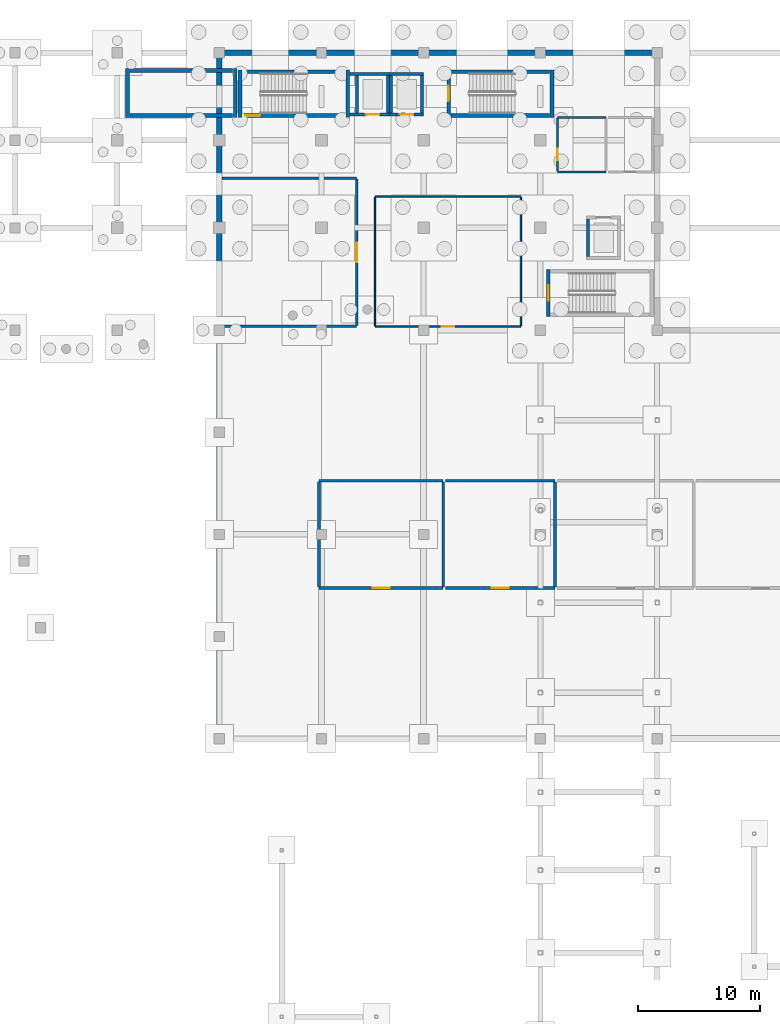
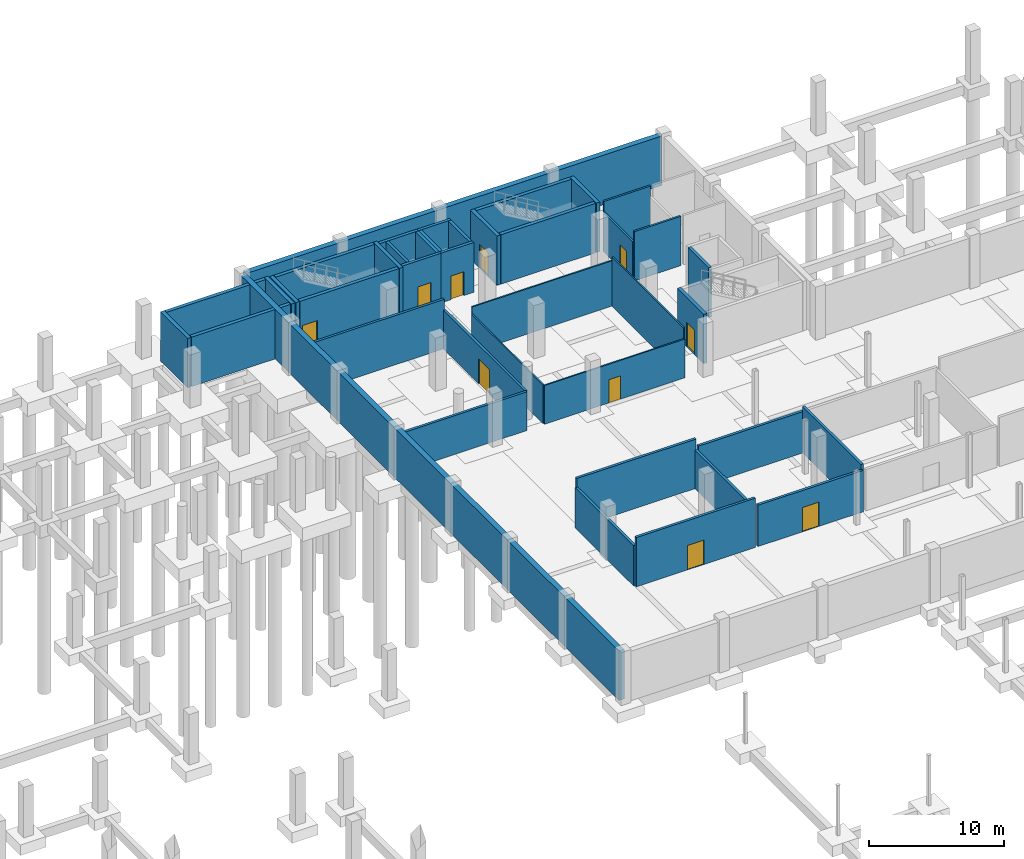
# One storey, part 36 of 44: 41 walls, 10 doors, 10 openings.
"""IFC4 building model written with IfcOpenShell, lengths in metres."""

from ifc_helpers import new_model, si_unit, direction, frame, frame_2d, origin, place, context, subcontext, project, spatial, rectangle, extrude, material, layer, layer_set, type_object, element, fill, save


model = new_model("IFC4")

# Units and contexts
model_context = context("Model", 3, precision=1e-05, world=origin(), true_north=direction((0.0, 1.0)))
body_context = subcontext(model_context, "Body", "Model", "MODEL_VIEW")
ifc_project = project(units=[si_unit("LENGTHUNIT", "METRE"), si_unit("AREAUNIT", "SQUARE_METRE"), si_unit("VOLUMEUNIT", "CUBIC_METRE"), si_unit("PLANEANGLEUNIT", "RADIAN"), si_unit("MASSUNIT", "GRAM", prefix="KILO")], contexts=[model_context])

# Site, building, storey
site_placement = place(None, origin())
site = spatial("IfcSite", under=ifc_project, at=site_placement, CompositionType="ELEMENT")
building_placement = place(site_placement, origin())
building = spatial("IfcBuilding", under=site, at=building_placement, Name="Kisaragi Civic Commons", CompositionType="ELEMENT")
storey_placement = place(building_placement, frame((0.0, 0.0, -4.800048828125)))
storey = spatial("IfcBuildingStorey", under=building, at=storey_placement, Name="B1", CompositionType="ELEMENT", Elevation=-4.800048828125)

# Wall
ifc_material_1 = material(Name="Fire-rated double gypsum board on steel studs with mineral wool", Category="steel")
ifc_layer_1 = layer(ifc_material_1, 0.218017578125, Name="Fire-rated double gypsum board on steel studs with mineral wool", Category="steel")
ifc_layer_set_1 = layer_set([ifc_layer_1], Name="Fire-rated double gypsum board on steel studs with mineral wool")
wall_type_1 = type_object("IfcWallType", Name="FW-03", PredefinedType="STANDARD", material=ifc_layer_set_1)
wall_1_placement = place(storey_placement, frame((115.60009765625, 83.52490234375, 0.0), z_axis=(0.0, 0.0, 1.0), x_axis=(0.0, -1.0, 0.0)))
element("IfcWall", 1, at=wall_1_placement, inside=storey, type_object=wall_type_1, Name="B1 B1-07 partition FW-03 15", PredefinedType="STANDARD", context=body_context, shape_type="SweptSolid", body=[
    extrude(rectangle(XDim=8.64990234375, YDim=0.218017578125, at=frame_2d((4.324951171875, 0.0))), origin(), (0.0, 0.0, 1.0), 3.5),
])

# Wall, opening, door
wall_2_placement = place(storey_placement, frame((115.594970703125, 74.800048828125, 0.0), z_axis=(0.0, 0.0, 1.0), x_axis=(-1.0, 0.0, 0.0)))
wall_2 = element("IfcWall", 2, at=wall_2_placement, inside=storey, type_object=wall_type_1, Name="B1 B1-07 partition FW-03 16", PredefinedType="STANDARD", context=body_context, shape_type="SweptSolid", body=[
    extrude(rectangle(XDim=10.18994140625, YDim=0.218017578125, at=frame_2d((5.094970703125, 0.0))), origin(), (0.0, 0.0, 1.0), 4.449951171875),
])
opening_1_placement = place(wall_2_placement, frame((4.39501953125, 0.0, 0.0)))
opening_1 = element("IfcOpeningElement", 3, at=opening_1_placement, cuts=wall_2, Name="Opening FD-02", PredefinedType="OPENING", context=body_context, shape_type="SweptSolid", body=[
    extrude(rectangle(XDim=1.39990234375, YDim=2.199951171875, at=frame_2d((0.699951171875, 1.10009765625))), frame((0.0, 0.118896484375, 0.0), z_axis=(0.0, -1.0, 0.0), x_axis=(1.0, 0.0, 0.0)), (0.0, 0.0, 1.0), 0.238037109375),
])
ifc_material_2 = material(Name="Insulated fire-rated pressed steel door assembly", Category="steel")
door_type_1 = type_object("IfcDoorType", Name="FD-02", OperationType="NOTDEFINED", PredefinedType="DOOR", material=ifc_material_2)
door_1_placement = place(opening_1_placement, origin())
door_1 = element("IfcDoor", 4, at=door_1_placement, inside=storey, type_object=door_type_1, Name="Electrical Substation Room door FD-02", OperationType="DOUBLE_DOOR_SINGLE_SWING", OverallHeight=2.199951171875, OverallWidth=1.39990234375, PredefinedType="DOOR", context=body_context, shape_type="SweptSolid", body=[
    extrude(rectangle(XDim=1.39990234375, YDim=2.199951171875, at=frame_2d((0.699951171875, 1.10009765625))), frame((0.0, 0.02490234375, 0.0), z_axis=(0.0, -1.0, 0.0), x_axis=(1.0, 0.0, 0.0)), (0.0, 0.0, 1.0), 0.050048828125),
])
fill(opening_1, door_1)

# Walls
wall_3_placement = place(storey_placement, frame((105.39990234375, 74.875, 0.0), z_axis=(0.0, 0.0, 1.0), x_axis=(0.0, 1.0, 0.0)))
element("IfcWall", 5, at=wall_3_placement, inside=storey, type_object=wall_type_1, Name="B1 B1-07 partition FW-03 17", PredefinedType="STANDARD", context=body_context, shape_type="SweptSolid", body=[
    extrude(rectangle(XDim=8.64990234375, YDim=0.218017578125, at=frame_2d((4.324951171875, 0.0))), origin(), (0.0, 0.0, 1.0), 3.650146484375),
])
wall_4_placement = place(storey_placement, frame((105.405029296875, 83.60009765625, 0.0), z_axis=(0.0, 0.0, 1.0), x_axis=(1.0, 0.0, 0.0)))
element("IfcWall", 6, at=wall_4_placement, inside=storey, type_object=wall_type_1, Name="B1 B1-07 partition FW-03 18", PredefinedType="STANDARD", context=body_context, shape_type="SweptSolid", body=[
    extrude(rectangle(XDim=10.18994140625, YDim=0.218017578125, at=frame_2d((5.094970703125, 0.0))), origin(), (0.0, 0.0, 1.0), 4.449951171875),
])
wall_5_placement = place(storey_placement, frame((124.800048828125, 83.52490234375, 0.0), z_axis=(0.0, 0.0, 1.0), x_axis=(0.0, -1.0, 0.0)))
element("IfcWall", 7, at=wall_5_placement, inside=storey, type_object=wall_type_1, Name="B1 B1-08 partition FW-03 19", PredefinedType="STANDARD", context=body_context, shape_type="SweptSolid", body=[
    extrude(rectangle(XDim=8.64990234375, YDim=0.218017578125, at=frame_2d((4.324951171875, 0.0))), origin(), (0.0, 0.0, 1.0), 4.18505859375),
])

# Wall, opening, door
wall_6_placement = place(storey_placement, frame((124.794921875, 74.800048828125, 0.0), z_axis=(0.0, 0.0, 1.0), x_axis=(-1.0, 0.0, 0.0)))
wall_6 = element("IfcWall", 8, at=wall_6_placement, inside=storey, type_object=wall_type_1, Name="B1 B1-08 partition FW-03 20", PredefinedType="STANDARD", context=body_context, shape_type="SweptSolid", body=[
    extrude(rectangle(XDim=8.989990234375, YDim=0.218017578125, at=frame_2d((4.4951171875, 0.0))), origin(), (0.0, 0.0, 1.0), 3.735107421875),
])
opening_2_placement = place(wall_6_placement, frame((3.794921875, 0.0, 0.0)))
opening_2 = element("IfcOpeningElement", 9, at=opening_2_placement, cuts=wall_6, Name="Opening FD-02", PredefinedType="OPENING", context=body_context, shape_type="SweptSolid", body=[
    extrude(rectangle(XDim=1.39990234375, YDim=2.199951171875, at=frame_2d((0.699951171875, 1.10009765625))), frame((0.0, 0.118896484375, 0.0), z_axis=(0.0, -1.0, 0.0), x_axis=(1.0, 0.0, 0.0)), (0.0, 0.0, 1.0), 0.238037109375),
])
door_2_placement = place(opening_2_placement, origin())
door_2 = element("IfcDoor", 10, at=door_2_placement, inside=storey, type_object=door_type_1, Name="Emergency Generator Room door FD-02", OperationType="DOUBLE_DOOR_SINGLE_SWING", OverallHeight=2.199951171875, OverallWidth=1.39990234375, PredefinedType="DOOR", context=body_context, shape_type="SweptSolid", body=[
    extrude(rectangle(XDim=1.39990234375, YDim=2.199951171875, at=frame_2d((0.699951171875, 1.10009765625))), frame((0.0, 0.02490234375, 0.0), z_axis=(0.0, -1.0, 0.0), x_axis=(1.0, 0.0, 0.0)), (0.0, 0.0, 1.0), 0.050048828125),
])
fill(opening_2, door_2)

# Walls
wall_7_placement = place(storey_placement, frame((115.804931640625, 83.60009765625, 0.0), z_axis=(0.0, 0.0, 1.0), x_axis=(1.0, 0.0, 0.0)))
element("IfcWall", 11, at=wall_7_placement, inside=storey, type_object=wall_type_1, Name="B1 B1-08 partition FW-03 21", PredefinedType="STANDARD", context=body_context, shape_type="SweptSolid", body=[
    extrude(rectangle(XDim=8.989990234375, YDim=0.218017578125, at=frame_2d((4.4951171875, 0.0))), origin(), (0.0, 0.0, 1.0), 3.735107421875),
])
ifc_material_3 = material(Name="Cementitious tile-backer board on galvanized steel studs", Category="steel")
ifc_layer_2 = layer(ifc_material_3, 0.16796875, Name="Cementitious tile-backer board on galvanized steel studs", Category="steel")
ifc_layer_set_2 = layer_set([ifc_layer_2], Name="Cementitious tile-backer board on galvanized steel studs")
wall_type_2 = type_object("IfcWallType", Name="IW-03", PredefinedType="STANDARD", material=ifc_layer_set_2)
wall_8_placement = place(storey_placement, frame((128.9951171875, 109.0, 0.0), z_axis=(0.0, 0.0, 1.0), x_axis=(-1.0, 0.0, 0.0)))
element("IfcWall", 12, at=wall_8_placement, inside=storey, type_object=wall_type_2, Name="B1 B1-05 partition IW-03 9", PredefinedType="STANDARD", context=body_context, shape_type="SweptSolid", body=[
    extrude(rectangle(XDim=3.990234375, YDim=0.16796875, at=frame_2d((1.9951171875, 0.0))), origin(), (0.0, 0.0, 1.0), 4.449951171875),
])

# Wall, opening, door
wall_9_placement = place(storey_placement, frame((125.0, 109.074951171875, 0.0), z_axis=(0.0, 0.0, 1.0), x_axis=(0.0, 1.0, 0.0)))
wall_9 = element("IfcWall", 13, at=wall_9_placement, inside=storey, type_object=wall_type_2, Name="B1 B1-05 partition IW-03 10", PredefinedType="STANDARD", context=body_context, shape_type="SweptSolid", body=[
    extrude(rectangle(XDim=4.35009765625, YDim=0.16796875, at=frame_2d((2.175048828125, 0.0))), origin(), (0.0, 0.0, 1.0), 3.5),
])
opening_3_placement = place(wall_9_placement, frame((0.884033203125, 0.0, 0.0)))
opening_3 = element("IfcOpeningElement", 14, at=opening_3_placement, cuts=wall_9, Name="Opening ID-01", PredefinedType="OPENING", context=body_context, shape_type="SweptSolid", body=[
    extrude(rectangle(XDim=0.949951171875, YDim=2.10009765625, at=frame_2d((0.47509765625, 1.050048828125))), frame((0.0, 0.093994140625, 0.0), z_axis=(0.0, -1.0, 0.0), x_axis=(1.0, 0.0, 0.0)), (0.0, 0.0, 1.0), 0.18798828125),
])
ifc_material_4 = material(Name="Solid-core Japanese ash acoustic flush timber leaf in steel frame", Category="steel")
door_type_2 = type_object("IfcDoorType", Name="ID-01", OperationType="NOTDEFINED", PredefinedType="DOOR", material=ifc_material_4)
door_3_placement = place(opening_3_placement, origin())
door_3 = element("IfcDoor", 15, at=door_3_placement, inside=storey, type_object=door_type_2, Name="B1 Accessible WC door ID-01", OperationType="SINGLE_SWING_RIGHT", OverallHeight=2.10009765625, OverallWidth=0.949951171875, PredefinedType="DOOR", context=body_context, shape_type="SweptSolid", body=[
    extrude(rectangle(XDim=0.949951171875, YDim=2.10009765625, at=frame_2d((0.47509765625, 1.050048828125))), frame((0.0, 0.02490234375, 0.0), z_axis=(0.0, -1.0, 0.0), x_axis=(1.0, 0.0, 0.0)), (0.0, 0.0, 1.0), 0.050048828125),
])
fill(opening_3, door_3)

# Walls
wall_10_placement = place(storey_placement, frame((125.0048828125, 113.5, 0.0), z_axis=(0.0, 0.0, 1.0), x_axis=(1.0, 0.0, 0.0)))
element("IfcWall", 16, at=wall_10_placement, inside=storey, type_object=wall_type_2, Name="B1 B1-05 partition IW-03 11", PredefinedType="STANDARD", context=body_context, shape_type="SweptSolid", body=[
    extrude(rectangle(XDim=3.990234375, YDim=0.16796875, at=frame_2d((1.9951171875, 0.0))), origin(), (0.0, 0.0, 1.0), 4.449951171875),
])
ifc_material_5 = material(Name="Acoustic gypsum board on light-gauge steel studs", Category="steel")
ifc_layer_3 = layer(ifc_material_5, 0.1201171875, Name="Acoustic gypsum board on light-gauge steel studs", Category="steel")
ifc_layer_set_3 = layer_set([ifc_layer_3], Name="Acoustic gypsum board on light-gauge steel studs")
wall_type_3 = type_object("IfcWallType", Name="IW-04", PredefinedType="STANDARD", material=ifc_layer_set_3)
wall_11_placement = place(storey_placement, frame((122.0, 106.925048828125, 0.0), z_axis=(0.0, 0.0, 1.0), x_axis=(0.0, -1.0, 0.0)))
element("IfcWall", 17, at=wall_11_placement, inside=storey, type_object=wall_type_3, Name="B1 B1-04 partition IW-04 4", PredefinedType="STANDARD", context=body_context, shape_type="SweptSolid", body=[
    extrude(rectangle(XDim=10.550048828125, YDim=0.1201171875, at=frame_2d((5.27490234375, 0.0))), origin(), (0.0, 0.0, 1.0), 4.449951171875),
])

# Wall, opening, door
wall_12_placement = place(storey_placement, frame((121.9951171875, 96.300048828125, 0.0), z_axis=(0.0, 0.0, 1.0), x_axis=(-1.0, 0.0, 0.0)))
wall_12 = element("IfcWall", 18, at=wall_12_placement, inside=storey, type_object=wall_type_3, Name="B1 B1-04 partition IW-04 5", PredefinedType="STANDARD", context=body_context, shape_type="SweptSolid", body=[
    extrude(rectangle(XDim=11.990234375, YDim=0.1201171875, at=frame_2d((5.9951171875, 0.0))), origin(), (0.0, 0.0, 1.0), 3.5),
])
opening_4_placement = place(wall_12_placement, frame((5.4951171875, 0.0, 0.0)))
opening_4 = element("IfcOpeningElement", 19, at=opening_4_placement, cuts=wall_12, Name="Opening ID-09", PredefinedType="OPENING", context=body_context, shape_type="SweptSolid", body=[
    extrude(rectangle(XDim=1.0, YDim=2.10009765625, at=frame_2d((0.5, 1.050048828125))), frame((0.0, 0.070068359375, 0.0), z_axis=(0.0, -1.0, 0.0), x_axis=(1.0, 0.0, 0.0)), (0.0, 0.0, 1.0), 0.14013671875),
])
door_type_3 = type_object("IfcDoorType", Name="ID-09", OperationType="NOTDEFINED", PredefinedType="DOOR", material=ifc_material_4)
door_4_placement = place(opening_4_placement, origin())
door_4 = element("IfcDoor", 20, at=door_4_placement, inside=storey, type_object=door_type_3, Name="General Civic Storage Room door ID-09", OperationType="SINGLE_SWING_LEFT", OverallHeight=2.10009765625, OverallWidth=1.0, PredefinedType="DOOR", context=body_context, shape_type="SweptSolid", body=[
    extrude(rectangle(XDim=1.0, YDim=2.10009765625, at=frame_2d((0.5, 1.050048828125))), frame((0.0, 0.02490234375, 0.0), z_axis=(0.0, -1.0, 0.0), x_axis=(1.0, 0.0, 0.0)), (0.0, 0.0, 1.0), 0.050048828125),
])
fill(opening_4, door_4)

# Walls
wall_13_placement = place(storey_placement, frame((110.0, 96.375, 0.0), z_axis=(0.0, 0.0, 1.0), x_axis=(0.0, 1.0, 0.0)))
element("IfcWall", 21, at=wall_13_placement, inside=storey, type_object=wall_type_3, Name="B1 B1-04 partition IW-04 6", PredefinedType="STANDARD", context=body_context, shape_type="SweptSolid", body=[
    extrude(rectangle(XDim=10.550048828125, YDim=0.1201171875, at=frame_2d((5.27490234375, 0.0))), origin(), (0.0, 0.0, 1.0), 3.5),
])
wall_14_placement = place(storey_placement, frame((110.0048828125, 107.0, 0.0), z_axis=(0.0, 0.0, 1.0), x_axis=(1.0, 0.0, 0.0)))
element("IfcWall", 22, at=wall_14_placement, inside=storey, type_object=wall_type_3, Name="B1 B1-04 partition IW-04 7", PredefinedType="STANDARD", context=body_context, shape_type="SweptSolid", body=[
    extrude(rectangle(XDim=11.990234375, YDim=0.1201171875, at=frame_2d((5.9951171875, 0.0))), origin(), (0.0, 0.0, 1.0), 4.10009765625),
])
ifc_material_6 = material(Name="Slatted Mikawa hinoki acoustic timber partition", Category="wood")
ifc_layer_4 = layer(ifc_material_6, 0.2080078125, Name="Slatted Mikawa hinoki acoustic timber partition", Category="wood")
ifc_layer_set_4 = layer_set([ifc_layer_4], Name="Slatted Mikawa hinoki acoustic timber partition")
wall_type_4 = type_object("IfcWallType", Name="IW-05", PredefinedType="STANDARD", material=ifc_layer_set_4)
wall_15_placement = place(storey_placement, frame((97.43310546875, 108.5, 0.0), z_axis=(0.0, 0.0, 1.0), x_axis=(1.0, 0.0, 0.0)))
element("IfcWall", 23, at=wall_15_placement, inside=storey, type_object=wall_type_4, Name="B1 B1-03 partition IW-05 1", PredefinedType="STANDARD", context=body_context, shape_type="SweptSolid", body=[
    extrude(rectangle(XDim=11.06201171875, YDim=0.2080078125, at=frame_2d((5.531005859375, 0.0))), origin(), (0.0, 0.0, 1.0), 4.449951171875),
])

# Wall, opening, door
wall_16_placement = place(storey_placement, frame((108.5, 108.425048828125, 0.0), z_axis=(0.0, 0.0, 1.0), x_axis=(0.0, -1.0, 0.0)))
wall_16 = element("IfcWall", 24, at=wall_16_placement, inside=storey, type_object=wall_type_4, Name="B1 B1-03 partition IW-05 2", PredefinedType="STANDARD", context=body_context, shape_type="SweptSolid", body=[
    extrude(rectangle(XDim=12.050048828125, YDim=0.2080078125, at=frame_2d((6.02490234375, 0.0))), origin(), (0.0, 0.0, 1.0), 3.5),
])
opening_5_placement = place(wall_16_placement, frame((5.22509765625, 0.0, 0.0)))
opening_5 = element("IfcOpeningElement", 25, at=opening_5_placement, cuts=wall_16, Name="Opening ID-05", PredefinedType="OPENING", context=body_context, shape_type="SweptSolid", body=[
    extrude(rectangle(XDim=1.60009765625, YDim=2.25, at=frame_2d((0.800048828125, 1.125))), frame((0.0, 0.114013671875, 0.0), z_axis=(0.0, -1.0, 0.0), x_axis=(1.0, 0.0, 0.0)), (0.0, 0.0, 1.0), 0.22802734375),
])
door_type_4 = type_object("IfcDoorType", Name="ID-05", OperationType="NOTDEFINED", PredefinedType="DOOR", material=ifc_material_4)
door_5_placement = place(opening_5_placement, origin())
door_5 = element("IfcDoor", 26, at=door_5_placement, inside=storey, type_object=door_type_4, Name="Ensemble Rehearsal Room door ID-05", OperationType="DOUBLE_DOOR_SINGLE_SWING", OverallHeight=2.25, OverallWidth=1.60009765625, PredefinedType="DOOR", context=body_context, shape_type="SweptSolid", body=[
    extrude(rectangle(XDim=1.60009765625, YDim=2.25, at=frame_2d((0.800048828125, 1.125))), frame((0.0, 0.02490234375, 0.0), z_axis=(0.0, -1.0, 0.0), x_axis=(1.0, 0.0, 0.0)), (0.0, 0.0, 1.0), 0.050048828125),
])
fill(opening_5, door_5)

# Walls
wall_17_placement = place(storey_placement, frame((108.4951171875, 96.300048828125, 0.0), z_axis=(0.0, 0.0, 1.0), x_axis=(-1.0, 0.0, 0.0)))
element("IfcWall", 27, at=wall_17_placement, inside=storey, type_object=wall_type_4, Name="B1 B1-03 partition IW-05 3", PredefinedType="STANDARD", context=body_context, shape_type="SweptSolid", body=[
    extrude(rectangle(XDim=10.990234375, YDim=0.2080078125, at=frame_2d((5.4951171875, 0.0))), origin(), (0.0, 0.0, 1.0), 3.5),
])
ifc_material_7 = material(Name="Concrete Fc30", Category="concrete")
ifc_layer_5 = layer(ifc_material_7, 0.449951171875, Name="Concrete Fc30", Category="concrete")
ifc_layer_set_5 = layer_set([ifc_layer_5], Name="Concrete Fc30")
wall_type_5 = type_object("IfcWallType", Name="RW-01", PredefinedType="USERDEFINED", material=ifc_layer_set_5)
wall_18_placement = place(storey_placement, frame((97.43994140625, 118.800048828125, 0.0), z_axis=(0.0, 0.0, 1.0), x_axis=(1.0, 0.0, 0.0)))
element("IfcWall", 28, at=wall_18_placement, inside=storey, type_object=wall_type_5, Name="B1 retaining wall RW-01 1", ObjectType="RETAININGWALL", PredefinedType="USERDEFINED", context=body_context, shape_type="SweptSolid", body=[
    extrude(rectangle(XDim=35.52001953125, YDim=0.449951171875, at=frame_2d((17.760009765625, 0.0))), origin(), (0.0, 0.0, 1.0), 4.469970703125),
])
wall_19_placement = place(storey_placement, frame((97.199951171875, 62.639892578125, 0.0), z_axis=(0.0, 0.0, 1.0), x_axis=(0.0, 1.0, 0.0)))
element("IfcWall", 29, at=wall_19_placement, inside=storey, type_object=wall_type_5, Name="B1 retaining wall RW-01 10", ObjectType="RETAININGWALL", PredefinedType="USERDEFINED", context=body_context, shape_type="SweptSolid", body=[
    extrude(rectangle(XDim=55.920166015625, YDim=0.449951171875, at=frame_2d((27.9599609375, 0.0))), origin(), (0.0, 0.0, 1.0), 4.469970703125),
])
ifc_material_8 = material(Name="Concrete Fc36", Category="concrete")
ifc_layer_6 = layer(ifc_material_8, 0.300048828125, Name="Concrete Fc36", Category="concrete")
ifc_layer_set_6 = layer_set([ifc_layer_6], Name="Concrete Fc36")
wall_type_6 = type_object("IfcWallType", Name="SW-01", PredefinedType="SHEAR", material=ifc_layer_set_6)
wall_20_placement = place(storey_placement, frame((98.89990234375, 117.39990234375, 0.0), z_axis=(0.0, 0.0, 1.0), x_axis=(0.0, -1.0, 0.0)))
element("IfcWall", 30, at=wall_20_placement, inside=storey, type_object=wall_type_6, Name="ST-L1 B1 entry RC shear wall", PredefinedType="SHEAR", context=body_context, shape_type="SweptSolid", body=[
    extrude(rectangle(XDim=3.89990234375, YDim=0.300048828125, at=frame_2d((1.949951171875, 0.0))), origin(), (0.0, 0.0, 1.0), 4.4599609375),
])

# Wall, opening, door
wall_21_placement = place(storey_placement, frame((99.10009765625, 113.64990234375, 0.0), z_axis=(0.0, 0.0, 1.0), x_axis=(1.0, 0.0, 0.0)))
wall_21 = element("IfcWall", 31, at=wall_21_placement, inside=storey, type_object=wall_type_6, Name="ST-L1 B1 right RC shear wall", PredefinedType="SHEAR", context=body_context, shape_type="SweptSolid", body=[
    extrude(rectangle(XDim=8.449951171875, YDim=0.300048828125, at=frame_2d((4.22509765625, 0.0))), origin(), (0.0, 0.0, 1.0), 4.4599609375),
])
opening_6_placement = place(wall_21_placement, frame((0.219970703125, 0.0, 0.0)))
opening_6 = element("IfcOpeningElement", 32, at=opening_6_placement, cuts=wall_21, Name="Opening SD-01", PredefinedType="OPENING", context=body_context, shape_type="SweptSolid", body=[
    extrude(rectangle(XDim=1.25, YDim=2.199951171875, at=frame_2d((0.625, 1.10009765625))), frame((0.0, 0.159912109375, 0.0), z_axis=(0.0, -1.0, 0.0), x_axis=(1.0, 0.0, 0.0)), (0.0, 0.0, 1.0), 0.320068359375),
])
door_type_5 = type_object("IfcDoorType", Name="SD-01", OperationType="NOTDEFINED", PredefinedType="DOOR", material=ifc_material_2)
door_6_placement = place(opening_6_placement, origin())
door_6 = element("IfcDoor", 33, at=door_6_placement, inside=storey, type_object=door_type_5, Name="ST-L1 B1 stair fire door 1", OperationType="SINGLE_SWING_LEFT", OverallHeight=2.199951171875, OverallWidth=1.25, PredefinedType="DOOR", context=body_context, shape_type="SweptSolid", body=[
    extrude(rectangle(XDim=1.25, YDim=2.199951171875, at=frame_2d((0.625, 1.10009765625))), frame((0.0, 0.02490234375, 0.0), z_axis=(0.0, -1.0, 0.0), x_axis=(1.0, 0.0, 0.0)), (0.0, 0.0, 1.0), 0.050048828125),
])
fill(opening_6, door_6)

# Walls
wall_22_placement = place(storey_placement, frame((107.75, 113.5, 0.0), z_axis=(0.0, 0.0, 1.0), x_axis=(0.0, 1.0, 0.0)))
element("IfcWall", 34, at=wall_22_placement, inside=storey, type_object=wall_type_6, Name="ST-L1 B1 far RC shear wall", PredefinedType="SHEAR", context=body_context, shape_type="SweptSolid", body=[
    extrude(rectangle(XDim=3.89990234375, YDim=0.300048828125, at=frame_2d((1.949951171875, 0.0))), origin(), (0.0, 0.0, 1.0), 4.4599609375),
])
wall_23_placement = place(storey_placement, frame((107.550048828125, 117.25, 0.0), z_axis=(0.0, 0.0, 1.0), x_axis=(-1.0, 0.0, 0.0)))
element("IfcWall", 35, at=wall_23_placement, inside=storey, type_object=wall_type_6, Name="ST-L1 B1 left RC shear wall", PredefinedType="SHEAR", context=body_context, shape_type="SweptSolid", body=[
    extrude(rectangle(XDim=8.449951171875, YDim=0.300048828125, at=frame_2d((4.22509765625, 0.0))), origin(), (0.0, 0.0, 1.0), 4.4599609375),
])

# Wall, opening, door
wall_24_placement = place(storey_placement, frame((116.050048828125, 117.39990234375, 0.0), z_axis=(0.0, 0.0, 1.0), x_axis=(0.0, -1.0, 0.0)))
wall_24 = element("IfcWall", 36, at=wall_24_placement, inside=storey, type_object=wall_type_6, Name="ST-L2 B1 entry RC shear wall", PredefinedType="SHEAR", context=body_context, shape_type="SweptSolid", body=[
    extrude(rectangle(XDim=3.89990234375, YDim=0.300048828125, at=frame_2d((1.949951171875, 0.0))), origin(), (0.0, 0.0, 1.0), 4.4599609375),
])
opening_7_placement = place(wall_24_placement, frame((1.324951171875, 0.0, 0.0)))
opening_7 = element("IfcOpeningElement", 37, at=opening_7_placement, cuts=wall_24, Name="Opening SD-01", PredefinedType="OPENING", context=body_context, shape_type="SweptSolid", body=[
    extrude(rectangle(XDim=1.25, YDim=2.199951171875, at=frame_2d((0.625, 1.10009765625))), frame((0.0, 0.159912109375, 0.0), z_axis=(0.0, -1.0, 0.0), x_axis=(1.0, 0.0, 0.0)), (0.0, 0.0, 1.0), 0.320068359375),
])
door_7_placement = place(opening_7_placement, origin())
door_7 = element("IfcDoor", 38, at=door_7_placement, inside=storey, type_object=door_type_5, Name="ST-L2 B1 stair fire door 7", OperationType="SINGLE_SWING_LEFT", OverallHeight=2.199951171875, OverallWidth=1.25, PredefinedType="DOOR", context=body_context, shape_type="SweptSolid", body=[
    extrude(rectangle(XDim=1.25, YDim=2.199951171875, at=frame_2d((0.625, 1.10009765625))), frame((0.0, 0.02490234375, 0.0), z_axis=(0.0, -1.0, 0.0), x_axis=(1.0, 0.0, 0.0)), (0.0, 0.0, 1.0), 0.050048828125),
])
fill(opening_7, door_7)

# Walls
wall_25_placement = place(storey_placement, frame((116.25, 113.64990234375, 0.0), z_axis=(0.0, 0.0, 1.0), x_axis=(1.0, 0.0, 0.0)))
element("IfcWall", 39, at=wall_25_placement, inside=storey, type_object=wall_type_6, Name="ST-L2 B1 right RC shear wall", PredefinedType="SHEAR", context=body_context, shape_type="SweptSolid", body=[
    extrude(rectangle(XDim=8.10009765625, YDim=0.300048828125, at=frame_2d((4.050048828125, 0.0))), origin(), (0.0, 0.0, 1.0), 4.4599609375),
])
wall_26_placement = place(storey_placement, frame((124.550048828125, 113.5, 0.0), z_axis=(0.0, 0.0, 1.0), x_axis=(0.0, 1.0, 0.0)))
element("IfcWall", 40, at=wall_26_placement, inside=storey, type_object=wall_type_6, Name="ST-L2 B1 far RC shear wall", PredefinedType="SHEAR", context=body_context, shape_type="SweptSolid", body=[
    extrude(rectangle(XDim=3.89990234375, YDim=0.300048828125, at=frame_2d((1.949951171875, 0.0))), origin(), (0.0, 0.0, 1.0), 4.4599609375),
])
wall_27_placement = place(storey_placement, frame((124.35009765625, 117.25, 0.0), z_axis=(0.0, 0.0, 1.0), x_axis=(-1.0, 0.0, 0.0)))
element("IfcWall", 41, at=wall_27_placement, inside=storey, type_object=wall_type_6, Name="ST-L2 B1 left RC shear wall", PredefinedType="SHEAR", context=body_context, shape_type="SweptSolid", body=[
    extrude(rectangle(XDim=8.10009765625, YDim=0.300048828125, at=frame_2d((4.050048828125, 0.0))), origin(), (0.0, 0.0, 1.0), 4.4599609375),
])

# Wall, opening, door
wall_28_placement = place(storey_placement, frame((124.25, 101.0, 0.0), z_axis=(0.0, 0.0, 1.0), x_axis=(0.0, -1.0, 0.0)))
wall_28 = element("IfcWall", 42, at=wall_28_placement, inside=storey, type_object=wall_type_6, Name="ST-L3 B1 entry RC shear wall", PredefinedType="SHEAR", context=body_context, shape_type="SweptSolid", body=[
    extrude(rectangle(XDim=3.89990234375, YDim=0.300048828125, at=frame_2d((1.949951171875, 0.0))), origin(), (0.0, 0.0, 1.0), 4.4599609375),
])
opening_8_placement = place(wall_28_placement, frame((1.324951171875, 0.0, 0.0)))
opening_8 = element("IfcOpeningElement", 43, at=opening_8_placement, cuts=wall_28, Name="Opening SD-01", PredefinedType="OPENING", context=body_context, shape_type="SweptSolid", body=[
    extrude(rectangle(XDim=1.25, YDim=2.199951171875, at=frame_2d((0.625, 1.10009765625))), frame((0.0, 0.159912109375, 0.0), z_axis=(0.0, -1.0, 0.0), x_axis=(1.0, 0.0, 0.0)), (0.0, 0.0, 1.0), 0.320068359375),
])
door_8_placement = place(opening_8_placement, origin())
door_8 = element("IfcDoor", 44, at=door_8_placement, inside=storey, type_object=door_type_5, Name="ST-L3 B1 stair fire door 13", OperationType="SINGLE_SWING_LEFT", OverallHeight=2.199951171875, OverallWidth=1.25, PredefinedType="DOOR", context=body_context, shape_type="SweptSolid", body=[
    extrude(rectangle(XDim=1.25, YDim=2.199951171875, at=frame_2d((0.625, 1.10009765625))), frame((0.0, 0.02490234375, 0.0), z_axis=(0.0, -1.0, 0.0), x_axis=(1.0, 0.0, 0.0)), (0.0, 0.0, 1.0), 0.050048828125),
])
fill(opening_8, door_8)

# Walls
wall_29_placement = place(storey_placement, frame((89.64990234375, 117.5, 0.0), z_axis=(0.0, 0.0, 1.0), x_axis=(0.0, -1.0, 0.0)))
element("IfcWall", 45, at=wall_29_placement, inside=storey, type_object=wall_type_6, Name="ST-L4 B1 entry RC shear wall", PredefinedType="SHEAR", context=body_context, shape_type="SweptSolid", body=[
    extrude(rectangle(XDim=4.0, YDim=0.300048828125, at=frame_2d((2.0, 0.0))), origin(), (0.0, 0.0, 1.0), 4.4599609375),
])
wall_30_placement = place(storey_placement, frame((89.85009765625, 113.64990234375, 0.0), z_axis=(0.0, 0.0, 1.0), x_axis=(1.0, 0.0, 0.0)))
element("IfcWall", 46, at=wall_30_placement, inside=storey, type_object=wall_type_6, Name="ST-L4 B1 right RC shear wall", PredefinedType="SHEAR", context=body_context, shape_type="SweptSolid", body=[
    extrude(rectangle(XDim=8.449951171875, YDim=0.300048828125, at=frame_2d((4.22509765625, 0.0))), origin(), (0.0, 0.0, 1.0), 4.4599609375),
])
wall_31_placement = place(storey_placement, frame((98.5, 113.5, 0.0), z_axis=(0.0, 0.0, 1.0), x_axis=(0.0, 1.0, 0.0)))
element("IfcWall", 47, at=wall_31_placement, inside=storey, type_object=wall_type_6, Name="ST-L4 B1 far RC shear wall", PredefinedType="SHEAR", context=body_context, shape_type="SweptSolid", body=[
    extrude(rectangle(XDim=4.0, YDim=0.300048828125, at=frame_2d((2.0, 0.0))), origin(), (0.0, 0.0, 1.0), 4.4599609375),
])
wall_32_placement = place(storey_placement, frame((98.300048828125, 117.35009765625, 0.0), z_axis=(0.0, 0.0, 1.0), x_axis=(-1.0, 0.0, 0.0)))
element("IfcWall", 48, at=wall_32_placement, inside=storey, type_object=wall_type_6, Name="ST-L4 B1 left RC shear wall", PredefinedType="SHEAR", context=body_context, shape_type="SweptSolid", body=[
    extrude(rectangle(XDim=8.449951171875, YDim=0.300048828125, at=frame_2d((4.22509765625, 0.0))), origin(), (0.0, 0.0, 1.0), 4.4599609375),
])

# Wall, opening, door
ifc_layer_7 = layer(ifc_material_8, 0.25, Name="Concrete Fc36", Category="concrete")
ifc_layer_set_7 = layer_set([ifc_layer_7], Name="Concrete Fc36")
wall_type_7 = type_object("IfcWallType", Name="SW-02", PredefinedType="SHEAR", material=ifc_layer_set_7)
wall_33_placement = place(storey_placement, frame((111.199951171875, 113.72509765625, 0.0), z_axis=(0.0, 0.0, 1.0), x_axis=(-1.0, 0.0, 0.0)))
wall_33 = element("IfcWall", 49, at=wall_33_placement, inside=storey, type_object=wall_type_7, Name="EL-L1 B1 south lift shaft wall", PredefinedType="SHEAR", context=body_context, shape_type="SweptSolid", body=[
    extrude(rectangle(XDim=3.300048828125, YDim=0.25, at=frame_2d((1.64990234375, 0.0))), origin(), (0.0, 0.0, 1.0), 4.5),
])
opening_9_placement = place(wall_33_placement, frame((0.85009765625, 0.0, 0.0)))
opening_9 = element("IfcOpeningElement", 50, at=opening_9_placement, cuts=wall_33, Name="Opening LD-01", PredefinedType="OPENING", context=body_context, shape_type="SweptSolid", body=[
    extrude(rectangle(XDim=1.10009765625, YDim=2.14990234375, at=frame_2d((0.550048828125, 1.074951171875))), frame((0.0, 0.135009765625, 0.0), z_axis=(0.0, -1.0, 0.0), x_axis=(1.0, 0.0, 0.0)), (0.0, 0.0, 1.0), 0.27001953125),
])
ifc_material_9 = material(Name="Brushed stainless steel bi-parting landing door", Category="steel")
door_type_6 = type_object("IfcDoorType", Name="LD-01", OperationType="NOTDEFINED", PredefinedType="DOOR", material=ifc_material_9)
door_9_placement = place(opening_9_placement, origin())
door_9 = element("IfcDoor", 51, at=door_9_placement, inside=storey, type_object=door_type_6, Name="EL-L1 B1 sliding lift landing door", OperationType="DOUBLE_DOOR_SLIDING", OverallHeight=2.14990234375, OverallWidth=1.10009765625, PredefinedType="DOOR", context=body_context, shape_type="SweptSolid", body=[
    extrude(rectangle(XDim=1.10009765625, YDim=2.14990234375, at=frame_2d((0.550048828125, 1.074951171875))), frame((0.0, 0.02490234375, 0.0), z_axis=(0.0, -1.0, 0.0), x_axis=(1.0, 0.0, 0.0)), (0.0, 0.0, 1.0), 0.050048828125),
])
fill(opening_9, door_9)

# Walls
wall_34_placement = place(storey_placement, frame((108.52490234375, 113.8701171875, 0.0), z_axis=(0.0, 0.0, 1.0), x_axis=(0.0, 1.0, 0.0)))
element("IfcWall", 52, at=wall_34_placement, inside=storey, type_object=wall_type_7, Name="EL-L1 B1 west lift shaft wall", PredefinedType="SHEAR", context=body_context, shape_type="SweptSolid", body=[
    extrude(rectangle(XDim=3.059814453125, YDim=0.25, at=frame_2d((1.52978515625, 0.0))), origin(), (0.0, 0.0, 1.0), 4.5),
])
wall_35_placement = place(storey_placement, frame((107.89990234375, 117.074951171875, 0.0), z_axis=(0.0, 0.0, 1.0), x_axis=(1.0, 0.0, 0.0)))
element("IfcWall", 53, at=wall_35_placement, inside=storey, type_object=wall_type_7, Name="EL-L1 B1 north lift shaft wall", PredefinedType="SHEAR", context=body_context, shape_type="SweptSolid", body=[
    extrude(rectangle(XDim=3.300048828125, YDim=0.25, at=frame_2d((1.64990234375, 0.0))), origin(), (0.0, 0.0, 1.0), 4.5),
])
wall_36_placement = place(storey_placement, frame((111.074951171875, 116.929931640625, 0.0), z_axis=(0.0, 0.0, 1.0), x_axis=(0.0, -1.0, 0.0)))
element("IfcWall", 54, at=wall_36_placement, inside=storey, type_object=wall_type_7, Name="EL-L1 B1 east lift shaft wall", PredefinedType="SHEAR", context=body_context, shape_type="SweptSolid", body=[
    extrude(rectangle(XDim=3.059814453125, YDim=0.25, at=frame_2d((1.52978515625, 0.0))), origin(), (0.0, 0.0, 1.0), 4.5),
])

# Wall, opening, door
wall_37_placement = place(storey_placement, frame((114.0, 113.72509765625, 0.0), z_axis=(0.0, 0.0, 1.0), x_axis=(-1.0, 0.0, 0.0)))
wall_37 = element("IfcWall", 55, at=wall_37_placement, inside=storey, type_object=wall_type_7, Name="EL-L2 B1 south lift shaft wall", PredefinedType="SHEAR", context=body_context, shape_type="SweptSolid", body=[
    extrude(rectangle(XDim=2.800048828125, YDim=0.25, at=frame_2d((1.39990234375, 0.0))), origin(), (0.0, 0.0, 1.0), 4.5),
])
opening_10_placement = place(wall_37_placement, frame((0.85009765625, 0.0, 0.0)))
opening_10 = element("IfcOpeningElement", 56, at=opening_10_placement, cuts=wall_37, Name="Opening LD-01", PredefinedType="OPENING", context=body_context, shape_type="SweptSolid", body=[
    extrude(rectangle(XDim=1.10009765625, YDim=2.14990234375, at=frame_2d((0.550048828125, 1.074951171875))), frame((0.0, 0.135009765625, 0.0), z_axis=(0.0, -1.0, 0.0), x_axis=(1.0, 0.0, 0.0)), (0.0, 0.0, 1.0), 0.27001953125),
])
door_10_placement = place(opening_10_placement, origin())
door_10 = element("IfcDoor", 57, at=door_10_placement, inside=storey, type_object=door_type_6, Name="EL-L2 B1 sliding lift landing door", OperationType="DOUBLE_DOOR_SLIDING", OverallHeight=2.14990234375, OverallWidth=1.10009765625, PredefinedType="DOOR", context=body_context, shape_type="SweptSolid", body=[
    extrude(rectangle(XDim=1.10009765625, YDim=2.14990234375, at=frame_2d((0.550048828125, 1.074951171875))), frame((0.0, 0.02490234375, 0.0), z_axis=(0.0, -1.0, 0.0), x_axis=(1.0, 0.0, 0.0)), (0.0, 0.0, 1.0), 0.050048828125),
])
fill(opening_10, door_10)

# Walls
wall_38_placement = place(storey_placement, frame((111.324951171875, 113.8701171875, 0.0), z_axis=(0.0, 0.0, 1.0), x_axis=(0.0, 1.0, 0.0)))
element("IfcWall", 58, at=wall_38_placement, inside=storey, type_object=wall_type_7, Name="EL-L2 B1 west lift shaft wall", PredefinedType="SHEAR", context=body_context, shape_type="SweptSolid", body=[
    extrude(rectangle(XDim=3.059814453125, YDim=0.25, at=frame_2d((1.52978515625, 0.0))), origin(), (0.0, 0.0, 1.0), 4.5),
])
wall_39_placement = place(storey_placement, frame((111.199951171875, 117.074951171875, 0.0), z_axis=(0.0, 0.0, 1.0), x_axis=(1.0, 0.0, 0.0)))
element("IfcWall", 59, at=wall_39_placement, inside=storey, type_object=wall_type_7, Name="EL-L2 B1 north lift shaft wall", PredefinedType="SHEAR", context=body_context, shape_type="SweptSolid", body=[
    extrude(rectangle(XDim=2.800048828125, YDim=0.25, at=frame_2d((1.39990234375, 0.0))), origin(), (0.0, 0.0, 1.0), 4.5),
])
for number, where, z_axis, x_axis, name in (
    (60, (113.875, 116.929931640625, 0.0), (0.0, 0.0, 1.0), (0.0, -1.0, 0.0), "EL-L2 B1 east lift shaft wall"),
    (61, (127.52490234375, 102.070068359375, 0.0), (0.0, 0.0, 1.0), (0.0, 1.0, 0.0), "EL-L3 B1 west lift shaft wall"),
):
    element("IfcWall", number, at=place(storey_placement, frame(where, z_axis=z_axis, x_axis=x_axis)), inside=storey, type_object=wall_type_7, Name=name, PredefinedType="SHEAR", context=body_context, shape_type="SweptSolid", body=[
        extrude(rectangle(XDim=3.059814453125, YDim=0.25, at=frame_2d((1.52978515625, 0.0))), origin(), (0.0, 0.0, 1.0), 4.5),
    ])

save(model, "model.ifc")
